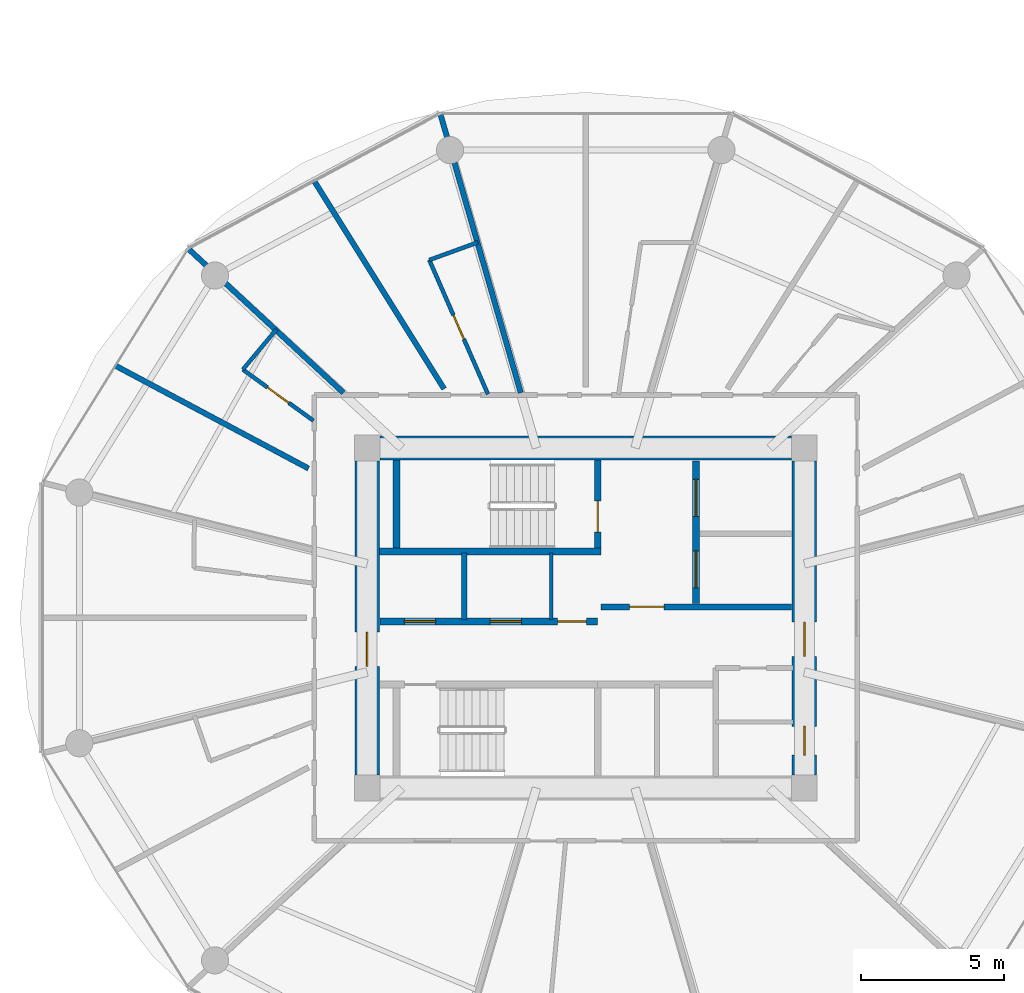
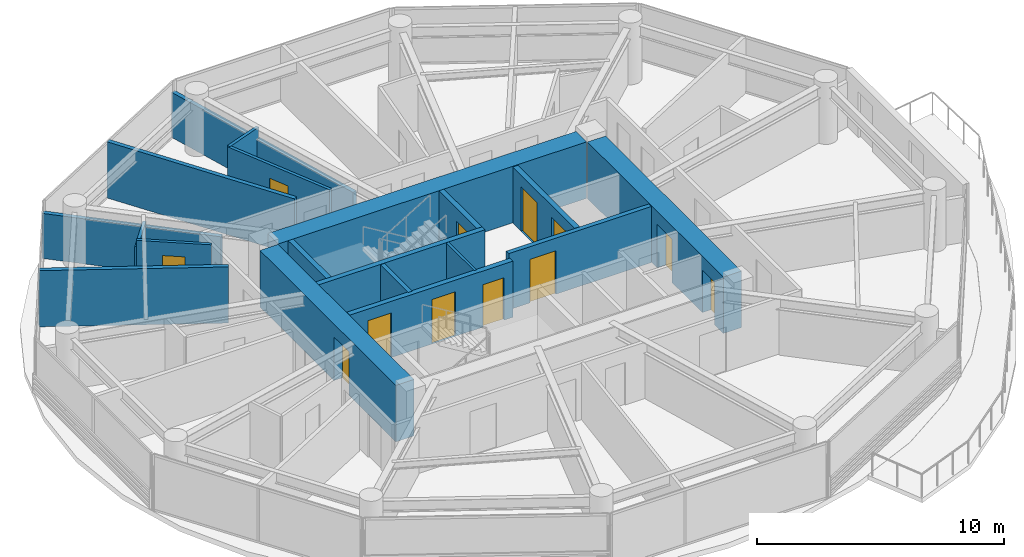
# One storey, part 16 of 27: 19 walls, 12 doors, 12 openings.
"""IFC4 building model written with IfcOpenShell, lengths in metres."""

from ifc_helpers import new_model, si_unit, direction, frame, frame_2d, origin, place, context, subcontext, project, spatial, rectangle, extrude, source, transform, mapped, material, layer, layer_set, type_object, type_shapes, element, fill, save


model = new_model("IFC4")

# Units and contexts
model_context = context("Model", 3, precision=1e-05, world=origin(), true_north=direction((0.0, 1.0)))
body_context = subcontext(model_context, "Body", "Model", "MODEL_VIEW")
ifc_project = project(units=[si_unit("LENGTHUNIT", "METRE"), si_unit("AREAUNIT", "SQUARE_METRE"), si_unit("VOLUMEUNIT", "CUBIC_METRE"), si_unit("PLANEANGLEUNIT", "RADIAN"), si_unit("MASSUNIT", "GRAM", prefix="KILO")], contexts=[model_context])

# Site, building, storey
site_placement = place(None, origin())
site = spatial("IfcSite", under=ifc_project, at=site_placement, CompositionType="ELEMENT")
building_placement = place(site_placement, origin())
building = spatial("IfcBuilding", under=site, at=building_placement, Name="Norrkilde Senior Care Towers", CompositionType="ELEMENT")
storey_placement = place(building_placement, frame((0.0, 0.0, 58.199951171875)))
storey = spatial("IfcBuildingStorey", under=building, at=storey_placement, Name="L17", CompositionType="ELEMENT", Elevation=58.199951171875)

# Wall
ifc_material_1 = material(Name="Concrete C60/75", Category="concrete")
ifc_layer_1 = layer(ifc_material_1, 0.85009765625)
ifc_layer_set_1 = layer_set([ifc_layer_1], Name="Concrete C60/75")
wall_type_1 = type_object("IfcWallType", Name="Core Shear Wall Z1 850", PredefinedType="SHEAR", material=ifc_layer_set_1)
shared_shape_1 = source(origin(), body_context, "Body", "SweptSolid", [
    extrude(rectangle(XDim=14.39990234375, YDim=0.85009765625, at=frame_2d((7.199951171875, 0.0))), origin(), (0.0, 0.0, 1.0), 2.7900390625),
])
wall_1_placement = place(storey_placement, frame((-35.199951171875, 5.949951171875, 0.0), z_axis=(0.0, 0.0, 1.0), x_axis=(1.0, 0.0, 0.0)))
element("IfcWall", 1, at=wall_1_placement, inside=storey, type_object=wall_type_1, Name="L17 Core W North Shear Wall", PredefinedType="SHEAR", context=body_context, shape_type="MappedRepresentation", body=[
    mapped(shared_shape_1, transform((0.0, 0.0, 0.0), x_axis=(1.0, 0.0, 0.0), y_axis=(0.0, 1.0, 0.0), z_axis=(0.0, 0.0, 1.0), scale=1.0)),
])

# Wall, opening, door
shared_shape_2 = source(origin(), body_context, "Body", "SweptSolid", [
    extrude(rectangle(XDim=11.0, YDim=0.85009765625, at=frame_2d((5.5, 0.0))), origin(), (0.0, 0.0, 1.0), 2.7900390625),
])
type_shapes(wall_type_1, [shared_shape_1, shared_shape_2])
wall_2_placement = place(storey_placement, frame((-35.64990234375, -5.5, 0.0), z_axis=(0.0, 0.0, 1.0), x_axis=(0.0, 1.0, 0.0)))
wall_2 = element("IfcWall", 2, at=wall_2_placement, inside=storey, type_object=wall_type_1, Name="L17 Core W West Shear Wall", PredefinedType="SHEAR", context=body_context, shape_type="MappedRepresentation", body=[
    mapped(shared_shape_2, transform((0.0, 0.0, 0.0), x_axis=(1.0, 0.0, 0.0), y_axis=(0.0, 1.0, 0.0), z_axis=(0.0, 0.0, 1.0), scale=1.0)),
])
opening_1_placement = place(wall_2_placement, frame((3.800048828125, 0.0, 0.0)))
opening_1 = element("IfcOpeningElement", 3, at=opening_1_placement, cuts=wall_2, Name="Opening D-04", PredefinedType="OPENING", context=body_context, shape_type="SweptSolid", body=[
    extrude(rectangle(XDim=1.199951171875, YDim=2.14990234375, at=frame_2d((0.60009765625, 1.074951171875))), frame((0.0, 0.43505859375, 0.0), z_axis=(0.0, -1.0, 0.0), x_axis=(1.0, 0.0, 0.0)), (0.0, 0.0, 1.0), 0.8701171875),
])
ifc_material_2 = material(Name="Galvanised Painted Steel", Category="steel")
door_type_1 = type_object("IfcDoorType", Name="Firefighting Lobby Fire Door 1200x2150", OperationType="NOTDEFINED", PredefinedType="DOOR", material=ifc_material_2)
shared_shape_3 = source(origin(), body_context, "Body", "SweptSolid", [
    extrude(rectangle(XDim=1.199951171875, YDim=2.14990234375, at=frame_2d((0.60009765625, 1.074951171875))), frame((0.0, 0.02490234375, 0.0), z_axis=(0.0, -1.0, 0.0), x_axis=(1.0, 0.0, 0.0)), (0.0, 0.0, 1.0), 0.050048828125),
])
type_shapes(door_type_1, [shared_shape_3])
door_1_placement = place(opening_1_placement, frame((1.199951171875, 0.0, 0.0), z_axis=(0.0, 0.0, 1.0), x_axis=(-1.0, 0.0, 0.0)))
door_1 = element("IfcDoor", 4, at=door_1_placement, inside=storey, type_object=door_type_1, Name="L17 Core W West Portal Door", OperationType="SINGLE_SWING_LEFT", OverallHeight=2.14990234375, OverallWidth=1.199951171875, PredefinedType="DOOR", context=body_context, shape_type="MappedRepresentation", body=[
    mapped(shared_shape_3, transform((0.0, 0.0, 0.0), x_axis=(1.0, 0.0, 0.0), y_axis=(0.0, 1.0, 0.0), z_axis=(0.0, 0.0, 1.0), scale=1.0)),
])
fill(opening_1, door_1)

# Wall, openings, doors
wall_3_placement = place(storey_placement, frame((-20.35009765625, 5.5, 0.0), z_axis=(0.0, 0.0, 1.0), x_axis=(0.0, -1.0, 0.0)))
wall_3 = element("IfcWall", 5, at=wall_3_placement, inside=storey, type_object=wall_type_1, Name="L17 Core W East Shear Wall", PredefinedType="SHEAR", context=body_context, shape_type="MappedRepresentation", body=[
    mapped(shared_shape_2, transform((0.0, 0.0, 0.0), x_axis=(1.0, 0.0, 0.0), y_axis=(0.0, 1.0, 0.0), z_axis=(0.0, 0.0, 1.0), scale=1.0)),
])
opening_2_placement = place(wall_3_placement, frame((5.64990234375, 0.0, 0.0)))
opening_2 = element("IfcOpeningElement", 6, at=opening_2_placement, cuts=wall_3, Name="Opening D-04", PredefinedType="OPENING", context=body_context, shape_type="SweptSolid", body=[
    extrude(rectangle(XDim=1.199951171875, YDim=2.14990234375, at=frame_2d((0.60009765625, 1.074951171875))), frame((0.0, 0.43505859375, 0.0), z_axis=(0.0, -1.0, 0.0), x_axis=(1.0, 0.0, 0.0)), (0.0, 0.0, 1.0), 0.8701171875),
])
opening_3_placement = place(wall_3_placement, frame((9.300048828125, 0.0, 0.0)))
opening_3 = element("IfcOpeningElement", 7, at=opening_3_placement, cuts=wall_3, Name="Opening D-10", PredefinedType="OPENING", context=body_context, shape_type="SweptSolid", body=[
    extrude(rectangle(XDim=1.0, YDim=2.10009765625, at=frame_2d((0.5, 1.050048828125))), frame((0.0, 0.43505859375, 0.0), z_axis=(0.0, -1.0, 0.0), x_axis=(1.0, 0.0, 0.0)), (0.0, 0.0, 1.0), 0.8701171875),
])
door_2_placement = place(opening_2_placement, frame((1.199951171875, 0.0, 0.0), z_axis=(0.0, 0.0, 1.0), x_axis=(-1.0, 0.0, 0.0)))
door_2 = element("IfcDoor", 8, at=door_2_placement, inside=storey, type_object=door_type_1, Name="L17 Core W East Portal Door", OperationType="SINGLE_SWING_RIGHT", OverallHeight=2.14990234375, OverallWidth=1.199951171875, PredefinedType="DOOR", context=body_context, shape_type="MappedRepresentation", body=[
    mapped(shared_shape_3, transform((0.0, 0.0, 0.0), x_axis=(1.0, 0.0, 0.0), y_axis=(0.0, 1.0, 0.0), z_axis=(0.0, 0.0, 1.0), scale=1.0)),
])
fill(opening_2, door_2)
door_type_2 = type_object("IfcDoorType", Name="Plant and Riser Rated Door 1000x2100", OperationType="NOTDEFINED", PredefinedType="DOOR", material=ifc_material_2)
shared_shape_4 = source(origin(), body_context, "Body", "SweptSolid", [
    extrude(rectangle(XDim=1.0, YDim=2.10009765625, at=frame_2d((0.5, 1.050048828125))), frame((0.0, 0.02490234375, 0.0), z_axis=(0.0, -1.0, 0.0), x_axis=(1.0, 0.0, 0.0)), (0.0, 0.0, 1.0), 0.050048828125),
])
type_shapes(door_type_2, [shared_shape_4])
door_3_placement = place(opening_3_placement, frame((1.0, 0.0, 0.0), z_axis=(0.0, 0.0, 1.0), x_axis=(-1.0, 0.0, 0.0)))
door_3 = element("IfcDoor", 9, at=door_3_placement, inside=storey, type_object=door_type_2, Name="L17 Ventilation Riser W Door", OperationType="SINGLE_SWING_RIGHT", OverallHeight=2.10009765625, OverallWidth=1.0, PredefinedType="DOOR", context=body_context, shape_type="MappedRepresentation", body=[
    mapped(shared_shape_4, transform((0.0, 0.0, 0.0), x_axis=(1.0, 0.0, 0.0), y_axis=(0.0, 1.0, 0.0), z_axis=(0.0, 0.0, 1.0), scale=1.0)),
])
fill(opening_3, door_3)

# Walls
ifc_material_3 = material(Name="Concrete C45/55", Category="concrete")
ifc_layer_2 = layer(ifc_material_3, 0.239990234375)
ifc_layer_set_2 = layer_set([ifc_layer_2], Name="Concrete C45/55")
wall_type_2 = type_object("IfcWallType", Name="Shaft and Stair Enclosure Wall 240", PredefinedType="PARTITIONING", material=ifc_layer_set_2)
shared_shape_5 = source(origin(), body_context, "Body", "SweptSolid", [
    extrude(rectangle(XDim=7.76513671875, YDim=0.239990234375, at=frame_2d((3.882568359375, 0.0))), origin(), (0.0, 0.0, 1.0), 2.7900390625),
])
wall_4_placement = place(storey_placement, frame((-35.22509765625, 2.330078125, 0.0), z_axis=(0.0, 0.0, 1.0), x_axis=(1.0, 0.0, 0.0)))
element("IfcWall", 10, at=wall_4_placement, inside=storey, type_object=wall_type_2, Name="WL-INT-L17-W-ST1S", PredefinedType="PARTITIONING", context=body_context, shape_type="MappedRepresentation", body=[
    mapped(shared_shape_5, transform((0.0, 0.0, 0.0), x_axis=(1.0, 0.0, 0.0), y_axis=(0.0, 1.0, 0.0), z_axis=(0.0, 0.0, 1.0), scale=1.0)),
])
shared_shape_6 = source(origin(), body_context, "Body", "SweptSolid", [
    extrude(rectangle(XDim=3.074951171875, YDim=0.239990234375, at=frame_2d((1.53759765625, 0.0))), origin(), (0.0, 0.0, 1.0), 2.7900390625),
])
type_shapes(wall_type_2, [shared_shape_5, shared_shape_6])
wall_5_placement = place(storey_placement, frame((-34.6201171875, 2.449951171875, 0.0), z_axis=(0.0, 0.0, 1.0), x_axis=(0.0, 1.0, 0.0)))
element("IfcWall", 11, at=wall_5_placement, inside=storey, type_object=wall_type_2, Name="WL-INT-L17-W-ST1W", PredefinedType="PARTITIONING", context=body_context, shape_type="MappedRepresentation", body=[
    mapped(shared_shape_6, transform((0.0, 0.0, 0.0), x_axis=(1.0, 0.0, 0.0), y_axis=(0.0, 1.0, 0.0), z_axis=(0.0, 0.0, 1.0), scale=1.0)),
])

# Wall, opening, door
wall_6_placement = place(storey_placement, frame((-27.580078125, 2.449951171875, 0.0), z_axis=(0.0, 0.0, 1.0), x_axis=(0.0, 1.0, 0.0)))
wall_6 = element("IfcWall", 12, at=wall_6_placement, inside=storey, type_object=wall_type_2, Name="WL-INT-L17-W-ST1E", PredefinedType="PARTITIONING", context=body_context, shape_type="MappedRepresentation", body=[
    mapped(shared_shape_6, transform((0.0, 0.0, 0.0), x_axis=(1.0, 0.0, 0.0), y_axis=(0.0, 1.0, 0.0), z_axis=(0.0, 0.0, 1.0), scale=1.0)),
])
opening_4_placement = place(wall_6_placement, frame((0.550048828125, 0.0, 0.0)))
opening_4 = element("IfcOpeningElement", 13, at=opening_4_placement, cuts=wall_6, Name="Opening D-03", PredefinedType="OPENING", context=body_context, shape_type="SweptSolid", body=[
    extrude(rectangle(XDim=1.10009765625, YDim=2.14990234375, at=frame_2d((0.550048828125, 1.074951171875))), frame((0.0, 0.1298828125, 0.0), z_axis=(0.0, -1.0, 0.0), x_axis=(1.0, 0.0, 0.0)), (0.0, 0.0, 1.0), 0.260009765625),
])
door_type_3 = type_object("IfcDoorType", Name="Stairwell Protected Fire Door 1100x2150", OperationType="NOTDEFINED", PredefinedType="DOOR", material=ifc_material_2)
shared_shape_7 = source(origin(), body_context, "Body", "SweptSolid", [
    extrude(rectangle(XDim=1.10009765625, YDim=2.14990234375, at=frame_2d((0.550048828125, 1.074951171875))), frame((0.0, 0.02490234375, 0.0), z_axis=(0.0, -1.0, 0.0), x_axis=(1.0, 0.0, 0.0)), (0.0, 0.0, 1.0), 0.050048828125),
])
type_shapes(door_type_3, [shared_shape_7])
door_4_placement = place(opening_4_placement, origin())
door_4 = element("IfcDoor", 14, at=door_4_placement, inside=storey, type_object=door_type_3, Name="L17 Stair W1 Fire Door", OperationType="SINGLE_SWING_LEFT", OverallHeight=2.14990234375, OverallWidth=1.10009765625, PredefinedType="DOOR", context=body_context, shape_type="MappedRepresentation", body=[
    mapped(shared_shape_7, transform((0.0, 0.0, 0.0), x_axis=(1.0, 0.0, 0.0), y_axis=(0.0, 1.0, 0.0), z_axis=(0.0, 0.0, 1.0), scale=1.0)),
])
fill(opening_4, door_4)

# Wall, openings, doors
ifc_layer_3 = layer(ifc_material_3, 0.239990234375)
ifc_layer_set_3 = layer_set([ifc_layer_3], Name="Concrete C45/55")
wall_type_3 = type_object("IfcWallType", Name="Lift and Plant Rated Enclosure Partition 240", PredefinedType="PARTITIONING", material=ifc_layer_set_3)
shared_shape_8 = source(origin(), body_context, "Body", "SweptSolid", [
    extrude(rectangle(XDim=5.0, YDim=0.239990234375, at=frame_2d((2.5, 0.0))), origin(), (0.0, 0.0, 1.0), 2.775146484375),
])
wall_7_placement = place(storey_placement, frame((-24.139892578125, 0.5, 0.0), z_axis=(0.0, 0.0, 1.0), x_axis=(0.0, 1.0, 0.0)))
wall_7 = element("IfcWall", 15, at=wall_7_placement, inside=storey, type_object=wall_type_3, Name="WL-INT-L17-W-FFLE", PredefinedType="PARTITIONING", context=body_context, shape_type="MappedRepresentation", body=[
    mapped(shared_shape_8, transform((0.0, 0.0, 0.0), x_axis=(1.0, 0.0, 0.0), y_axis=(0.0, 1.0, 0.0), z_axis=(0.0, 0.0, 1.0), scale=1.0)),
])
opening_5_placement = place(wall_7_placement, frame((3.050048828125, 0.0, 0.0)))
opening_5 = element("IfcOpeningElement", 16, at=opening_5_placement, cuts=wall_7, Name="Opening LD-02", PredefinedType="OPENING", context=body_context, shape_type="SweptSolid", body=[
    extrude(rectangle(XDim=1.300048828125, YDim=2.199951171875, at=frame_2d((0.64990234375, 1.10009765625))), frame((0.0, 0.1298828125, 0.0), z_axis=(0.0, -1.0, 0.0), x_axis=(1.0, 0.0, 0.0)), (0.0, 0.0, 1.0), 0.260009765625),
])
opening_6_placement = place(wall_7_placement, frame((0.550048828125, 0.0, 0.0)))
opening_6 = element("IfcOpeningElement", 17, at=opening_6_placement, cuts=wall_7, Name="Opening LD-02", PredefinedType="OPENING", context=body_context, shape_type="SweptSolid", body=[
    extrude(rectangle(XDim=1.300048828125, YDim=2.199951171875, at=frame_2d((0.64990234375, 1.10009765625))), frame((0.0, 0.1298828125, 0.0), z_axis=(0.0, -1.0, 0.0), x_axis=(1.0, 0.0, 0.0)), (0.0, 0.0, 1.0), 0.260009765625),
])
ifc_material_4 = material(Name="Stainless Steel", Category="steel")
door_type_4 = type_object("IfcDoorType", Name="Stretcher and FFL Landing Sliding Door 1300x2200", OperationType="NOTDEFINED", PredefinedType="DOOR", material=ifc_material_4)
shared_shape_9 = source(origin(), body_context, "Body", "SweptSolid", [
    extrude(rectangle(XDim=1.300048828125, YDim=2.199951171875, at=frame_2d((0.64990234375, 1.10009765625))), frame((0.0, 0.02490234375, 0.0), z_axis=(0.0, -1.0, 0.0), x_axis=(1.0, 0.0, 0.0)), (0.0, 0.0, 1.0), 0.050048828125),
])
type_shapes(door_type_4, [shared_shape_9])
door_5_placement = place(opening_5_placement, origin())
door_5 = element("IfcDoor", 18, at=door_5_placement, inside=storey, type_object=door_type_4, Name="L17 Firefighting Lift W1 Landing Door", OperationType="SLIDING_TO_LEFT", OverallHeight=2.199951171875, OverallWidth=1.300048828125, PredefinedType="DOOR", context=body_context, shape_type="MappedRepresentation", body=[
    mapped(shared_shape_9, transform((0.0, 0.0, 0.0), x_axis=(1.0, 0.0, 0.0), y_axis=(0.0, 1.0, 0.0), z_axis=(0.0, 0.0, 1.0), scale=1.0)),
])
fill(opening_5, door_5)
door_6_placement = place(opening_6_placement, origin())
door_6 = element("IfcDoor", 19, at=door_6_placement, inside=storey, type_object=door_type_4, Name="L17 Stretcher Lift W1 Landing Door", OperationType="SLIDING_TO_RIGHT", OverallHeight=2.199951171875, OverallWidth=1.300048828125, PredefinedType="DOOR", context=body_context, shape_type="MappedRepresentation", body=[
    mapped(shared_shape_9, transform((0.0, 0.0, 0.0), x_axis=(1.0, 0.0, 0.0), y_axis=(0.0, 1.0, 0.0), z_axis=(0.0, 0.0, 1.0), scale=1.0)),
])
fill(opening_6, door_6)

# Wall, opening, door
ifc_layer_4 = layer(ifc_material_3, 0.2099609375)
ifc_layer_set_4 = layer_set([ifc_layer_4], Name="Concrete C45/55")
wall_type_4 = type_object("IfcWallType", Name="Firefighting Lobby Wall 210", PredefinedType="PARTITIONING", material=ifc_layer_set_4)
shared_shape_10 = source(origin(), body_context, "Body", "SweptSolid", [
    extrude(rectangle(XDim=6.659912109375, YDim=0.2099609375, at=frame_2d((3.330078125, 0.0))), origin(), (0.0, 0.0, 1.0), 2.775146484375),
])
type_shapes(wall_type_4, [shared_shape_10])
wall_8_placement = place(storey_placement, frame((-27.4599609375, 0.389892578125, 0.0), z_axis=(0.0, 0.0, 1.0), x_axis=(1.0, 0.0, 0.0)))
wall_8 = element("IfcWall", 20, at=wall_8_placement, inside=storey, type_object=wall_type_4, Name="WL-INT-L17-W-FFLS", PredefinedType="PARTITIONING", context=body_context, shape_type="MappedRepresentation", body=[
    mapped(shared_shape_10, transform((0.0, 0.0, 0.0), x_axis=(1.0, 0.0, 0.0), y_axis=(0.0, 1.0, 0.0), z_axis=(0.0, 0.0, 1.0), scale=1.0)),
])
opening_7_placement = place(wall_8_placement, frame((1.0, 0.0, 0.0)))
opening_7 = element("IfcOpeningElement", 21, at=opening_7_placement, cuts=wall_8, Name="Opening D-04", PredefinedType="OPENING", context=body_context, shape_type="SweptSolid", body=[
    extrude(rectangle(XDim=1.199951171875, YDim=2.14990234375, at=frame_2d((0.60009765625, 1.074951171875))), frame((0.0, 0.114990234375, 0.0), z_axis=(0.0, -1.0, 0.0), x_axis=(1.0, 0.0, 0.0)), (0.0, 0.0, 1.0), 0.22998046875),
])
door_7_placement = place(opening_7_placement, frame((1.199951171875, 0.0, 0.0), z_axis=(0.0, 0.0, 1.0), x_axis=(-1.0, 0.0, 0.0)))
door_7 = element("IfcDoor", 22, at=door_7_placement, inside=storey, type_object=door_type_1, Name="L17 Firefighting Lobby W Door", OperationType="SINGLE_SWING_LEFT", OverallHeight=2.14990234375, OverallWidth=1.199951171875, PredefinedType="DOOR", context=body_context, shape_type="MappedRepresentation", body=[
    mapped(shared_shape_3, transform((0.0, 0.0, 0.0), x_axis=(1.0, 0.0, 0.0), y_axis=(0.0, 1.0, 0.0), z_axis=(0.0, 0.0, 1.0), scale=1.0)),
])
fill(opening_7, door_7)

# Wall, openings, doors
shared_shape_11 = source(origin(), body_context, "Body", "SweptSolid", [
    extrude(rectangle(XDim=7.619873046875, YDim=0.239990234375, at=frame_2d((3.81005859375, 0.0))), origin(), (0.0, 0.0, 1.0), 2.775146484375),
])
type_shapes(wall_type_3, [shared_shape_8, shared_shape_11])
wall_9_placement = place(storey_placement, frame((-35.199951171875, -0.1298828125, 0.0), z_axis=(0.0, 0.0, 1.0), x_axis=(1.0, 0.0, 0.0)))
wall_9 = element("IfcWall", 23, at=wall_9_placement, inside=storey, type_object=wall_type_3, Name="WL-INT-L17-W-PKAS", PredefinedType="PARTITIONING", context=body_context, shape_type="MappedRepresentation", body=[
    mapped(shared_shape_11, transform((0.0, 0.0, 0.0), x_axis=(1.0, 0.0, 0.0), y_axis=(0.0, 1.0, 0.0), z_axis=(0.0, 0.0, 1.0), scale=1.0)),
])
opening_8_placement = place(wall_9_placement, frame((6.219970703125, 0.0, 0.0)))
opening_8 = element("IfcOpeningElement", 24, at=opening_8_placement, cuts=wall_9, Name="Opening D-10", PredefinedType="OPENING", context=body_context, shape_type="SweptSolid", body=[
    extrude(rectangle(XDim=1.0, YDim=2.10009765625, at=frame_2d((0.5, 1.050048828125))), frame((0.0, 0.1298828125, 0.0), z_axis=(0.0, -1.0, 0.0), x_axis=(1.0, 0.0, 0.0)), (0.0, 0.0, 1.0), 0.260009765625),
])
opening_9_placement = place(wall_9_placement, frame((0.85009765625, 0.0, 0.0)))
opening_9 = element("IfcOpeningElement", 25, at=opening_9_placement, cuts=wall_9, Name="Opening LD-01", PredefinedType="OPENING", context=body_context, shape_type="SweptSolid", body=[
    extrude(rectangle(XDim=1.10009765625, YDim=2.199951171875, at=frame_2d((0.550048828125, 1.10009765625))), frame((0.0, 0.1298828125, 0.0), z_axis=(0.0, -1.0, 0.0), x_axis=(1.0, 0.0, 0.0)), (0.0, 0.0, 1.0), 0.260009765625),
])
opening_10_placement = place(wall_9_placement, frame((3.85009765625, 0.0, 0.0)))
opening_10 = element("IfcOpeningElement", 26, at=opening_10_placement, cuts=wall_9, Name="Opening LD-01", PredefinedType="OPENING", context=body_context, shape_type="SweptSolid", body=[
    extrude(rectangle(XDim=1.10009765625, YDim=2.199951171875, at=frame_2d((0.550048828125, 1.10009765625))), frame((0.0, 0.1298828125, 0.0), z_axis=(0.0, -1.0, 0.0), x_axis=(1.0, 0.0, 0.0)), (0.0, 0.0, 1.0), 0.260009765625),
])
door_8_placement = place(opening_8_placement, frame((1.0, 0.0, 0.0), z_axis=(0.0, 0.0, 1.0), x_axis=(-1.0, 0.0, 0.0)))
door_8 = element("IfcDoor", 27, at=door_8_placement, inside=storey, type_object=door_type_2, Name="L17 Electrical Riser W Door", OperationType="SINGLE_SWING_LEFT", OverallHeight=2.10009765625, OverallWidth=1.0, PredefinedType="DOOR", context=body_context, shape_type="MappedRepresentation", body=[
    mapped(shared_shape_4, transform((0.0, 0.0, 0.0), x_axis=(1.0, 0.0, 0.0), y_axis=(0.0, 1.0, 0.0), z_axis=(0.0, 0.0, 1.0), scale=1.0)),
])
fill(opening_8, door_8)
door_type_5 = type_object("IfcDoorType", Name="Lift Landing Sliding Door 1100x2200", OperationType="NOTDEFINED", PredefinedType="DOOR", material=ifc_material_4)
shared_shape_12 = source(origin(), body_context, "Body", "SweptSolid", [
    extrude(rectangle(XDim=1.10009765625, YDim=2.199951171875, at=frame_2d((0.550048828125, 1.10009765625))), frame((0.0, 0.02490234375, 0.0), z_axis=(0.0, -1.0, 0.0), x_axis=(1.0, 0.0, 0.0)), (0.0, 0.0, 1.0), 0.050048828125),
])
type_shapes(door_type_5, [shared_shape_12])
door_9_placement = place(opening_9_placement, origin())
door_9 = element("IfcDoor", 28, at=door_9_placement, inside=storey, type_object=door_type_5, Name="L17 Passenger Lift W1 Landing Door", OperationType="SLIDING_TO_LEFT", OverallHeight=2.199951171875, OverallWidth=1.10009765625, PredefinedType="DOOR", context=body_context, shape_type="MappedRepresentation", body=[
    mapped(shared_shape_12, transform((0.0, 0.0, 0.0), x_axis=(1.0, 0.0, 0.0), y_axis=(0.0, 1.0, 0.0), z_axis=(0.0, 0.0, 1.0), scale=1.0)),
])
fill(opening_9, door_9)
door_10_placement = place(opening_10_placement, origin())
door_10 = element("IfcDoor", 29, at=door_10_placement, inside=storey, type_object=door_type_5, Name="L17 Passenger Lift W2 Landing Door", OperationType="SLIDING_TO_RIGHT", OverallHeight=2.199951171875, OverallWidth=1.10009765625, PredefinedType="DOOR", context=body_context, shape_type="MappedRepresentation", body=[
    mapped(shared_shape_12, transform((0.0, 0.0, 0.0), x_axis=(1.0, 0.0, 0.0), y_axis=(0.0, 1.0, 0.0), z_axis=(0.0, 0.0, 1.0), scale=1.0)),
])
fill(opening_10, door_10)

# Walls
ifc_material_5 = material(Name="Gypsum Acoustic Board")
ifc_layer_5 = layer(ifc_material_5, 0.114990234375)
ifc_layer_set_5 = layer_set([ifc_layer_5], Name="Gypsum Acoustic Board")
wall_type_5 = type_object("IfcWallType", Name="Internal Room Partition 115", PredefinedType="PARTITIONING", material=ifc_layer_set_5)
shared_shape_13 = source(origin(), body_context, "Body", "SweptSolid", [
    extrude(rectangle(XDim=2.330078125, YDim=0.114990234375, at=frame_2d((1.1650390625, 0.0))), origin(), (0.0, 0.0, 1.0), 2.775146484375),
])
type_shapes(wall_type_5, [shared_shape_13])
wall_10_placement = place(storey_placement, frame((-29.2099609375, -0.050048828125, 0.0), z_axis=(0.0, 0.0, 1.0), x_axis=(0.0, 1.0, 0.0)))
element("IfcWall", 30, at=wall_10_placement, inside=storey, type_object=wall_type_5, Name="WL-INT-L17-W-RISW", PredefinedType="PARTITIONING", context=body_context, shape_type="MappedRepresentation", body=[
    mapped(shared_shape_13, transform((0.0, 0.0, 0.0), x_axis=(1.0, 0.0, 0.0), y_axis=(0.0, 1.0, 0.0), z_axis=(0.0, 0.0, 1.0), scale=1.0)),
])
ifc_layer_6 = layer(ifc_material_3, 0.199951171875)
ifc_layer_set_6 = layer_set([ifc_layer_6], Name="Concrete C45/55")
wall_type_6 = type_object("IfcWallType", Name="Shaft Division and Plant Partition 200", PredefinedType="PARTITIONING", material=ifc_layer_set_6)
shared_shape_14 = source(origin(), body_context, "Body", "SweptSolid", [
    extrude(rectangle(XDim=2.330078125, YDim=0.199951171875, at=frame_2d((1.1650390625, 0.0))), origin(), (0.0, 0.0, 1.0), 2.775146484375),
])
type_shapes(wall_type_6, [shared_shape_14])
wall_11_placement = place(storey_placement, frame((-32.25, -0.050048828125, 0.0), z_axis=(0.0, 0.0, 1.0), x_axis=(0.0, 1.0, 0.0)))
element("IfcWall", 31, at=wall_11_placement, inside=storey, type_object=wall_type_6, Name="WL-INT-L17-W-PL12", PredefinedType="PARTITIONING", context=body_context, shape_type="MappedRepresentation", body=[
    mapped(shared_shape_14, transform((0.0, 0.0, 0.0), x_axis=(1.0, 0.0, 0.0), y_axis=(0.0, 1.0, 0.0), z_axis=(0.0, 0.0, 1.0), scale=1.0)),
])
ifc_layer_7 = layer(ifc_material_5, 0.18994140625)
ifc_layer_set_7 = layer_set([ifc_layer_7], Name="Gypsum Acoustic Board")
wall_type_7 = type_object("IfcWallType", Name="Unit Demising Acoustic Wall 190", PredefinedType="PARTITIONING", material=ifc_layer_set_7)
shared_shape_15 = source(origin(), body_context, "Body", "SweptSolid", [
    extrude(rectangle(XDim=7.4345703125, YDim=0.18994140625, at=frame_2d((3.71728515625, 0.0))), origin(), (0.0, 0.0, 1.0), 2.22509765625),
])
wall_12_placement = place(storey_placement, frame((-36.48291015625, 7.8798828125, 0.0), z_axis=(0.0, 0.0, 1.0), x_axis=(-0.732651956848, 0.680603489652, 0.0)))
element("IfcWall", 32, at=wall_12_placement, inside=storey, type_object=wall_type_7, Name="WL-INT-L17-W-DEM-04-0", PredefinedType="PARTITIONING", context=body_context, shape_type="MappedRepresentation", body=[
    mapped(shared_shape_15, transform((0.0, 0.0, 0.0), x_axis=(1.0, 0.0, 0.0), y_axis=(0.0, 1.0, 0.0), z_axis=(0.0, 0.0, 1.0), scale=1.0)),
])
shared_shape_16 = source(origin(), body_context, "Body", "SweptSolid", [
    extrude(rectangle(XDim=10.196044921875, YDim=0.18994140625, at=frame_2d((5.09814453125, 0.0))), origin(), (0.0, 0.0, 1.0), 2.22509765625),
])
wall_13_placement = place(storey_placement, frame((-30.27294921875, 7.8798828125, 0.0), z_axis=(0.0, 0.0, 1.0), x_axis=(-0.277136420347, 0.960830580549, 0.0)))
element("IfcWall", 33, at=wall_13_placement, inside=storey, type_object=wall_type_7, Name="WL-INT-L17-W-DEM-03-0", PredefinedType="PARTITIONING", context=body_context, shape_type="MappedRepresentation", body=[
    mapped(shared_shape_16, transform((0.0, 0.0, 0.0), x_axis=(1.0, 0.0, 0.0), y_axis=(0.0, 1.0, 0.0), z_axis=(0.0, 0.0, 1.0), scale=1.0)),
])
shared_shape_17 = source(origin(), body_context, "Body", "SweptSolid", [
    extrude(rectangle(XDim=8.59814453125, YDim=0.18994140625, at=frame_2d((4.299072265625, 0.0))), origin(), (0.0, 0.0, 1.0), 2.775146484375),
])
wall_14_placement = place(storey_placement, frame((-32.95703125, 8.017333984375, 0.0), z_axis=(0.0, 0.0, 1.0), x_axis=(-0.530039776395, 0.847972779893, 0.0)))
element("IfcWall", 34, at=wall_14_placement, inside=storey, type_object=wall_type_7, Name="WL-INT-L17-W-CMID-03", PredefinedType="PARTITIONING", context=body_context, shape_type="MappedRepresentation", body=[
    mapped(shared_shape_17, transform((0.0, 0.0, 0.0), x_axis=(1.0, 0.0, 0.0), y_axis=(0.0, 1.0, 0.0), z_axis=(0.0, 0.0, 1.0), scale=1.0)),
])
shared_shape_18 = source(origin(), body_context, "Body", "SweptSolid", [
    extrude(rectangle(XDim=7.6767578125, YDim=0.18994140625, at=frame_2d((3.83837890625, 0.0))), origin(), (0.0, 0.0, 1.0), 2.775146484375),
])
type_shapes(wall_type_7, [shared_shape_15, shared_shape_16, shared_shape_17, shared_shape_18])
wall_15_placement = place(storey_placement, frame((-37.703125, 5.23095703125, 0.0), z_axis=(0.0, 0.0, 1.0), x_axis=(-0.882725057546, 0.469889851753, 0.0)))
element("IfcWall", 35, at=wall_15_placement, inside=storey, type_object=wall_type_7, Name="WL-INT-L17-W-CMID-04", PredefinedType="PARTITIONING", context=body_context, shape_type="MappedRepresentation", body=[
    mapped(shared_shape_18, transform((0.0, 0.0, 0.0), x_axis=(1.0, 0.0, 0.0), y_axis=(0.0, 1.0, 0.0), z_axis=(0.0, 0.0, 1.0), scale=1.0)),
])

# Wall, opening, door
ifc_layer_8 = layer(ifc_material_5, 0.139892578125)
ifc_layer_set_8 = layer_set([ifc_layer_8], Name="Gypsum Acoustic Board")
wall_type_8 = type_object("IfcWallType", Name="En-suite Wet Room Wall 140", PredefinedType="PARTITIONING", material=ifc_layer_set_8)
shared_shape_19 = source(origin(), body_context, "Body", "SweptSolid", [
    extrude(rectangle(XDim=5.125732421875, YDim=0.139892578125, at=frame_2d((2.56298828125, 0.0))), origin(), (0.0, 0.0, 1.0), 2.775146484375),
])
wall_16_placement = place(storey_placement, frame((-31.421875, 7.830078125, 0.0), z_axis=(0.0, 0.0, 1.0), x_axis=(-0.400473994842, 0.916308124735, 0.0)))
wall_16 = element("IfcWall", 36, at=wall_16_placement, inside=storey, type_object=wall_type_8, Name="WL-INT-L17-W-ES-03A", PredefinedType="PARTITIONING", context=body_context, shape_type="MappedRepresentation", body=[
    mapped(shared_shape_19, transform((0.0, 0.0, 0.0), x_axis=(1.0, 0.0, 0.0), y_axis=(0.0, 1.0, 0.0), z_axis=(0.0, 0.0, 1.0), scale=1.0)),
])
opening_11_placement = place(wall_16_placement, frame((2.102783203125, 0.0, 0.0)))
opening_11 = element("IfcOpeningElement", 37, at=opening_11_placement, cuts=wall_16, Name="Opening D-08", PredefinedType="OPENING", context=body_context, shape_type="SweptSolid", body=[
    extrude(rectangle(XDim=0.919921875, YDim=2.10009765625, at=frame_2d((0.4599609375, 1.050048828125))), frame((0.0, 0.079833984375, 0.0), z_axis=(0.0, -1.0, 0.0), x_axis=(1.0, 0.0, 0.0)), (0.0, 0.0, 1.0), 0.159912109375),
])
ifc_material_6 = material(Name="Nordic Ash Timber", Category="wood")
door_type_6 = type_object("IfcDoorType", Name="Accessible Wet Room Door 920x2100", OperationType="NOTDEFINED", PredefinedType="DOOR", material=ifc_material_6)
shared_shape_20 = source(origin(), body_context, "Body", "SweptSolid", [
    extrude(rectangle(XDim=0.919921875, YDim=2.10009765625, at=frame_2d((0.4599609375, 1.050048828125))), frame((0.0, 0.02490234375, 0.0), z_axis=(0.0, -1.0, 0.0), x_axis=(1.0, 0.0, 0.0)), (0.0, 0.0, 1.0), 0.050048828125),
])
type_shapes(door_type_6, [shared_shape_20])
door_11_placement = place(opening_11_placement, origin())
door_11 = element("IfcDoor", 38, at=door_11_placement, inside=storey, type_object=door_type_6, Name="L17 Care Suite 1703A Bathroom Door", OperationType="SINGLE_SWING_RIGHT", OverallHeight=2.10009765625, OverallWidth=0.919921875, PredefinedType="DOOR", context=body_context, shape_type="MappedRepresentation", body=[
    mapped(shared_shape_20, transform((0.0, 0.0, 0.0), x_axis=(1.0, 0.0, 0.0), y_axis=(0.0, 1.0, 0.0), z_axis=(0.0, 0.0, 1.0), scale=1.0)),
])
fill(opening_11, door_11)

# Wall
shared_shape_21 = source(origin(), body_context, "Body", "SweptSolid", [
    extrude(rectangle(XDim=1.811279296875, YDim=0.139892578125, at=frame_2d((0.90576171875, 0.0))), origin(), (0.0, 0.0, 1.0), 2.775146484375),
])
wall_17_placement = place(storey_placement, frame((-33.474609375, 12.52685546875, 0.0), z_axis=(0.0, 0.0, 1.0), x_axis=(0.940009682452, 0.341147764021, 0.0)))
element("IfcWall", 39, at=wall_17_placement, inside=storey, type_object=wall_type_8, Name="WL-INT-L17-W-EF-03A", PredefinedType="PARTITIONING", context=body_context, shape_type="MappedRepresentation", body=[
    mapped(shared_shape_21, transform((0.0, 0.0, 0.0), x_axis=(1.0, 0.0, 0.0), y_axis=(0.0, 1.0, 0.0), z_axis=(0.0, 0.0, 1.0), scale=1.0)),
])

# Wall, opening, door
shared_shape_22 = source(origin(), body_context, "Body", "SweptSolid", [
    extrude(rectangle(XDim=3.050537109375, YDim=0.139892578125, at=frame_2d((1.525390625, 0.0))), origin(), (0.0, 0.0, 1.0), 2.775146484375),
])
wall_18_placement = place(storey_placement, frame((-37.530029296875, 6.902587890625, 0.0), z_axis=(0.0, 0.0, 1.0), x_axis=(-0.809849031404, 0.586638343729, 0.0)))
wall_18 = element("IfcWall", 40, at=wall_18_placement, inside=storey, type_object=wall_type_8, Name="WL-INT-L17-W-ES-04A", PredefinedType="PARTITIONING", context=body_context, shape_type="MappedRepresentation", body=[
    mapped(shared_shape_22, transform((0.0, 0.0, 0.0), x_axis=(1.0, 0.0, 0.0), y_axis=(0.0, 1.0, 0.0), z_axis=(0.0, 0.0, 1.0), scale=1.0)),
])
opening_12_placement = place(wall_18_placement, frame((1.065185546875, 0.0, 0.0)))
opening_12 = element("IfcOpeningElement", 41, at=opening_12_placement, cuts=wall_18, Name="Opening D-08", PredefinedType="OPENING", context=body_context, shape_type="SweptSolid", body=[
    extrude(rectangle(XDim=0.919921875, YDim=2.10009765625, at=frame_2d((0.4599609375, 1.050048828125))), frame((0.0, 0.079833984375, 0.0), z_axis=(0.0, -1.0, 0.0), x_axis=(1.0, 0.0, 0.0)), (0.0, 0.0, 1.0), 0.159912109375),
])
door_12_placement = place(opening_12_placement, origin())
door_12 = element("IfcDoor", 42, at=door_12_placement, inside=storey, type_object=door_type_6, Name="L17 Care Suite 1704A Bathroom Door", OperationType="SINGLE_SWING_LEFT", OverallHeight=2.10009765625, OverallWidth=0.919921875, PredefinedType="DOOR", context=body_context, shape_type="MappedRepresentation", body=[
    mapped(shared_shape_20, transform((0.0, 0.0, 0.0), x_axis=(1.0, 0.0, 0.0), y_axis=(0.0, 1.0, 0.0), z_axis=(0.0, 0.0, 1.0), scale=1.0)),
])
fill(opening_12, door_12)

# Wall
shared_shape_23 = source(origin(), body_context, "Body", "SweptSolid", [
    extrude(rectangle(XDim=1.840087890625, YDim=0.139892578125, at=frame_2d((0.919921875, 0.0))), origin(), (0.0, 0.0, 1.0), 2.4150390625),
])
type_shapes(wall_type_8, [shared_shape_19, shared_shape_21, shared_shape_22, shared_shape_23])
wall_19_placement = place(storey_placement, frame((-40.00048828125, 8.692138671875, 0.0), z_axis=(0.0, 0.0, 1.0), x_axis=(0.641410397049, 0.767197955262, 0.0)))
element("IfcWall", 43, at=wall_19_placement, inside=storey, type_object=wall_type_8, Name="WL-INT-L17-W-EF-04A", PredefinedType="PARTITIONING", context=body_context, shape_type="MappedRepresentation", body=[
    mapped(shared_shape_23, transform((0.0, 0.0, 0.0), x_axis=(1.0, 0.0, 0.0), y_axis=(0.0, 1.0, 0.0), z_axis=(0.0, 0.0, 1.0), scale=1.0)),
])

save(model, "model.ifc")
